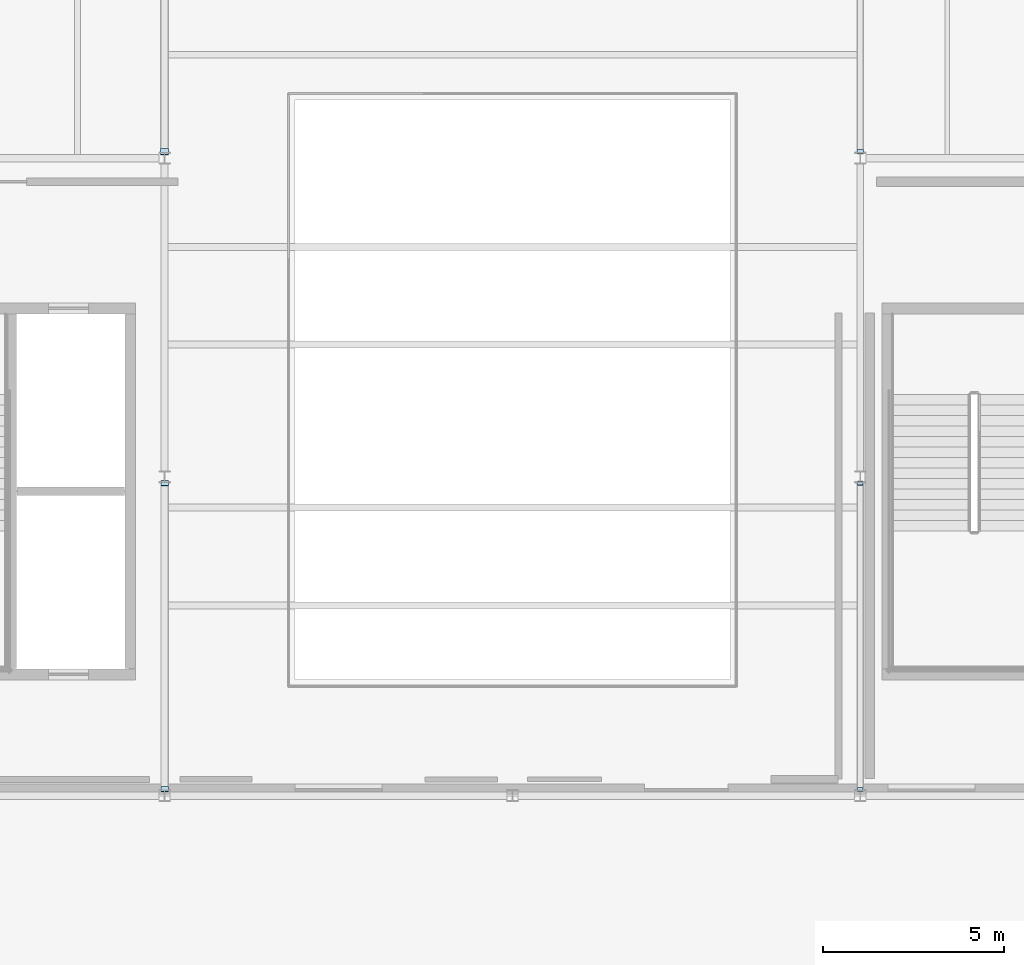
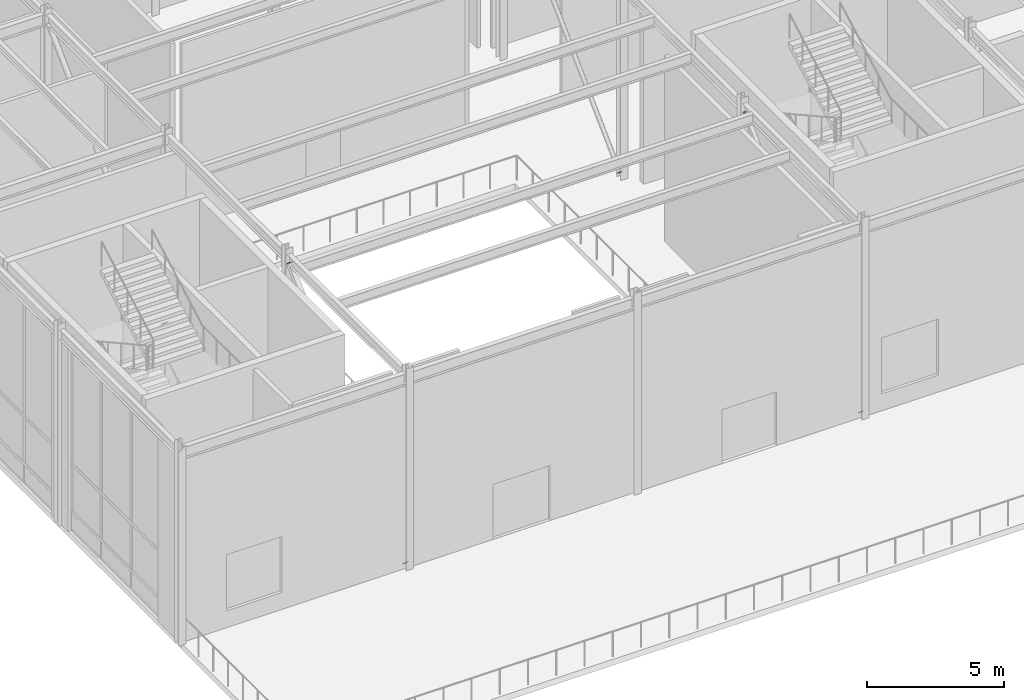
# One storey, part 31 of 48: 6 plates.
"""IFC4 building model written with IfcOpenShell, lengths in metres."""

from ifc_helpers import new_model, si_unit, direction, frame, origin, origin_2d, place, context, subcontext, project, spatial, rectangle, extrude, material, layer, layer_set, type_object, element, save


model = new_model("IFC4")

# Units and contexts
model_context = context("Model", 3, precision=1e-05, world=origin(), true_north=direction((0.0, 1.0)))
body_context = subcontext(model_context, "Body", "Model", "MODEL_VIEW")
ifc_project = project(units=[si_unit("LENGTHUNIT", "METRE"), si_unit("AREAUNIT", "SQUARE_METRE"), si_unit("VOLUMEUNIT", "CUBIC_METRE"), si_unit("PLANEANGLEUNIT", "RADIAN"), si_unit("MASSUNIT", "GRAM", prefix="KILO")], contexts=[model_context])

# Site, building, storey
site_placement = place(None, origin())
site = spatial("IfcSite", under=ifc_project, at=site_placement, CompositionType="ELEMENT")
building_placement = place(site_placement, origin())
building = spatial("IfcBuilding", under=site, at=building_placement, Name="Sarnbrook Museum", CompositionType="ELEMENT")
storey_placement = place(building_placement, frame((0.0, 0.0, 19.10009765625)))
storey = spatial("IfcBuildingStorey", under=building, at=storey_placement, Name="L04", CompositionType="ELEMENT", Elevation=19.10009765625)

# Plates
ifc_material = material(Name="Structural Steel Grade 350L0 (AS/NZS 3678, fy = 340 MPa for 20 < t <= 40 mm)", Category="steel")
ifc_layer_1 = layer(ifc_material, 0.01611328125)
ifc_layer_set_1 = layer_set([ifc_layer_1], Name="Structural Steel Grade 350L0 (AS/NZS 3678, fy = 340 MPa for 20 < t <= 40 mm)")
plate_type_1 = type_object("IfcPlateType", Name="EndCapPlate_CAP150", PredefinedType="USERDEFINED", material=ifc_layer_set_1)
for number, where, z_axis, x_axis, name in (
    (1, (109.60009765625, 56.968505859375, 0.108642578125), (0.0, 0.715957737177, 0.698143623173), (-1.0, 0.0, 0.0), "Hollow End Cap Plate CBF:2:L04-1"),
    (2, (109.60009765625, 65.419921875, 8.349853515625), (0.0, 0.715957737177, 0.698143623173), (-1.0, 0.0, 0.0), "Hollow End Cap Plate CBF:2:L04-2"),
):
    element("IfcPlate", number, at=place(storey_placement, frame(where, z_axis=z_axis, x_axis=x_axis)), inside=storey, type_object=plate_type_1, Name=name, ObjectType="END CAP PLATE", PredefinedType="USERDEFINED", context=body_context, shape_type="SweptSolid", body=[
        extrude(rectangle(XDim=0.14990234375, YDim=0.14990234375, at=origin_2d()), origin(), (0.0, 0.0, 1.0), 0.01611328125),
    ])
ifc_layer_2 = layer(ifc_material, 0.01611328125)
ifc_layer_set_2 = layer_set([ifc_layer_2], Name="Structural Steel Grade 350L0 (AS/NZS 3678, fy = 340 MPa for 20 < t <= 40 mm)")
plate_type_2 = type_object("IfcPlateType", Name="EndCapPlate_CAP168", PredefinedType="USERDEFINED", material=ifc_layer_set_2)
plate_1_placement = place(storey_placement, frame((109.60009765625, 74.568359375, 0.108642578125), z_axis=(0.0, 0.715957737177, 0.698143623173), x_axis=(-1.0, 0.0, 0.0)))
element("IfcPlate", 3, at=plate_1_placement, inside=storey, type_object=plate_type_2, Name="Hollow End Cap Plate CBF:4:L04-1", ObjectType="END CAP PLATE", PredefinedType="USERDEFINED", context=body_context, shape_type="SweptSolid", body=[
    extrude(rectangle(XDim=0.175048828125, YDim=0.175048828125, at=origin_2d()), origin(), (0.0, 0.0, 1.0), 0.01611328125),
])
ifc_layer_3 = layer(ifc_material, 0.01611328125)
ifc_layer_set_3 = layer_set([ifc_layer_3], Name="Structural Steel Grade 350L0 (AS/NZS 3678, fy = 340 MPa for 20 < t <= 40 mm)")
plate_type_3 = type_object("IfcPlateType", Name="EndCapPlate_CAP200", PredefinedType="USERDEFINED", material=ifc_layer_set_3)
for number, where, z_axis, x_axis, name in (
    (4, (90.39990234375, 56.968505859375, 0.108642578125), (0.0, 0.715957737177, 0.698143623173), (-1.0, 0.0, 0.0), "Hollow End Cap Plate CBF:1:L04-1"),
    (5, (90.39990234375, 65.419921875, 8.349853515625), (0.0, 0.715957737177, 0.698143623173), (-1.0, 0.0, 0.0), "Hollow End Cap Plate CBF:1:L04-2"),
):
    element("IfcPlate", number, at=place(storey_placement, frame(where, z_axis=z_axis, x_axis=x_axis)), inside=storey, type_object=plate_type_3, Name=name, ObjectType="END CAP PLATE", PredefinedType="USERDEFINED", context=body_context, shape_type="SweptSolid", body=[
        extrude(rectangle(XDim=0.199951171875, YDim=0.199951171875, at=origin_2d()), origin(), (0.0, 0.0, 1.0), 0.01611328125),
    ])
ifc_layer_4 = layer(ifc_material, 0.01611328125)
ifc_layer_set_4 = layer_set([ifc_layer_4], Name="Structural Steel Grade 350L0 (AS/NZS 3678, fy = 340 MPa for 20 < t <= 40 mm)")
plate_type_4 = type_object("IfcPlateType", Name="EndCapPlate_CAP219", PredefinedType="USERDEFINED", material=ifc_layer_set_4)
plate_2_placement = place(storey_placement, frame((90.39990234375, 74.568359375, 0.108642578125), z_axis=(0.0, 0.715957737177, 0.698143623173), x_axis=(-1.0, 0.0, 0.0)))
element("IfcPlate", 6, at=plate_2_placement, inside=storey, type_object=plate_type_4, Name="Hollow End Cap Plate CBF:3:L04-1", ObjectType="END CAP PLATE", PredefinedType="USERDEFINED", context=body_context, shape_type="SweptSolid", body=[
    extrude(rectangle(XDim=0.22509765625, YDim=0.22509765625, at=origin_2d()), origin(), (0.0, 0.0, 1.0), 0.01611328125),
])

save(model, "model.ifc")
